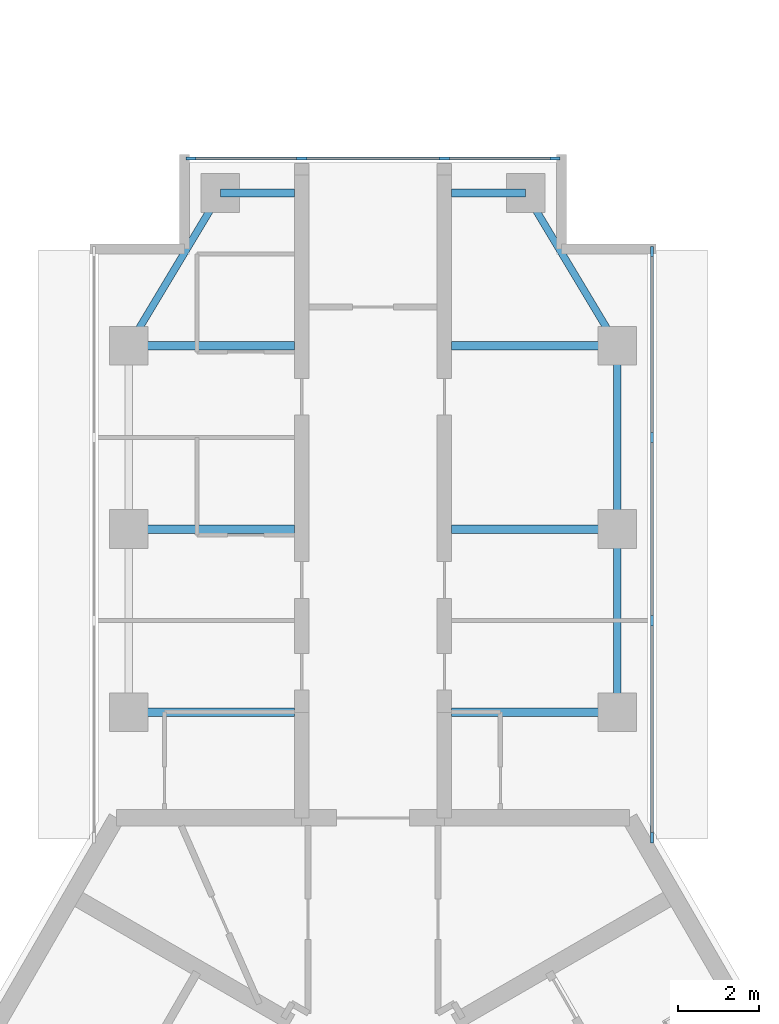
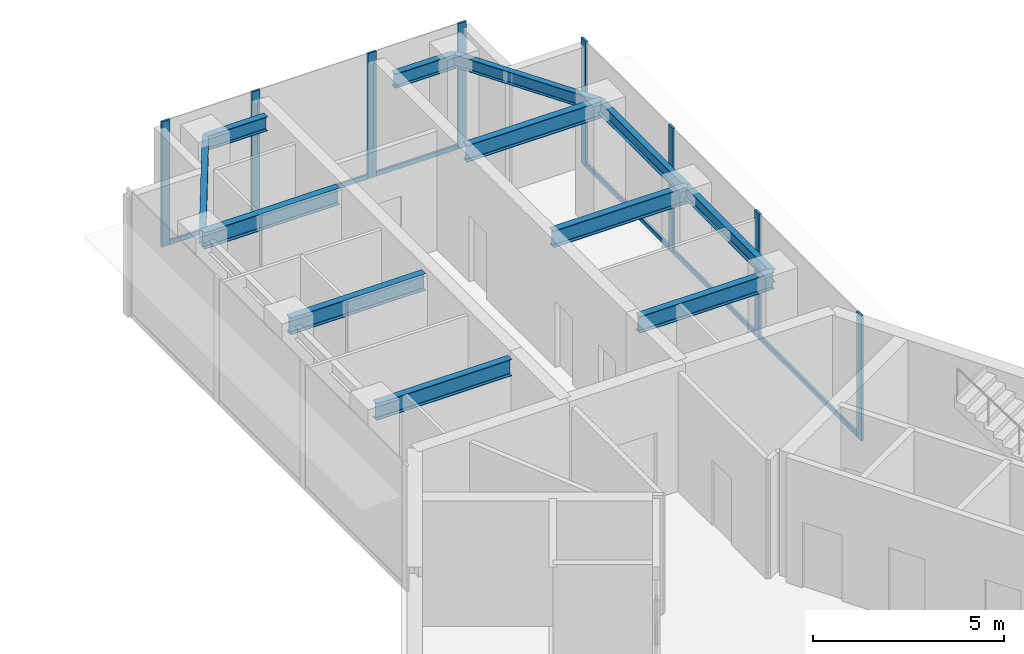
# One storey, part 3 of 11: 14 members, 12 beams, 2 elements without a shape of their own.
"""IFC4 building model written with IfcOpenShell, lengths in metres."""

import ifcopenshell
import ifcopenshell.guid

model = None  # the IFC model being written
_history = None  # IfcOwnerHistory: only IFC2X3 demands one
_inside = {}  # id of a spatial element -> (the spatial element, [elements in it])
_under = {}  # id of a project, library or spatial element -> (it, [spatial elements below it])
_declared = {}  # id of a project -> (the project, [libraries it declares])
_typed = {}  # id of a type object -> (the type object, [elements of that type])
_made_of = {}  # id of a material, layer set ... -> (it, [elements and type objects made of it])


def new_model(schema):
    """Start an empty IFC model of exactly this schema.

    Asked for "IFC4X3", IfcOpenShell would pick the latest addendum, in which some entities
    have other attributes; the version numbers below select the first issue.
    IFC2X3 requires an IfcOwnerHistory on every rooted entity: one is made here for all.
    """
    global model, _history
    if schema == "IFC4X3":
        model = ifcopenshell.file(schema_version=(4, 3, 0, 0))
    else:
        model = ifcopenshell.file(schema=schema)
    _inside.clear()
    _under.clear()
    _declared.clear()
    _typed.clear()
    _made_of.clear()
    _history = None
    if model.schema == "IFC2X3":
        org = make("IfcOrganization", Name="unknown")
        user = make(
            "IfcPersonAndOrganization",
            ThePerson=make("IfcPerson", FamilyName="unknown"),
            TheOrganization=org,
        )
        app = make(
            "IfcApplication",
            ApplicationDeveloper=org,
            Version="unknown",
            ApplicationFullName="unknown",
            ApplicationIdentifier="unknown",
        )
        _history = make(
            "IfcOwnerHistory",
            OwningUser=user,
            OwningApplication=app,
            ChangeAction="ADDED",
            CreationDate=0,
        )
    return model


def make(cls, **values):
    """One entity of the class cls with the attributes given. An attribute that is None is left unset."""
    return model.create_entity(
        cls, **{name: value for name, value in values.items() if value is not None}
    )


def rooted(cls, **values):
    """An entity with a GlobalId (a new one), such as an element, a storey or a relation."""
    return make(cls, GlobalId=ifcopenshell.guid.new(), OwnerHistory=_history, **values)


def si_unit(unit_type, name, prefix=None):
    """IfcSIUnit, for example si_unit("LENGTHUNIT", "METRE", prefix="MILLI")."""
    return make("IfcSIUnit", UnitType=unit_type, Prefix=prefix, Name=name)


def assignment(units):
    """IfcUnitAssignment: the units of a project."""
    return None if units is None else make("IfcUnitAssignment", Units=units)


def point(xyz):
    """IfcCartesianPoint."""
    return None if xyz is None else make("IfcCartesianPoint", Coordinates=xyz)


def direction(xyz):
    """IfcDirection."""
    return None if xyz is None else make("IfcDirection", DirectionRatios=xyz)


def frame(location, z_axis=None, x_axis=None):
    """IfcAxis2Placement3D, a coordinate frame: its origin and axes. An axis left out is left unset."""
    return make(
        "IfcAxis2Placement3D",
        Location=point(location),
        Axis=direction(z_axis),
        RefDirection=direction(x_axis),
    )


def frame_2d(location, x_axis=None):
    """IfcAxis2Placement2D, a coordinate frame in the plane: its origin and x axis."""
    return make(
        "IfcAxis2Placement2D", Location=point(location), RefDirection=direction(x_axis)
    )


def origin():
    """The frame at (0, 0, 0) with its axes left unset."""
    return frame((0.0, 0.0, 0.0))


def origin_2d():
    """The frame at (0, 0) in the plane with its x axis left unset."""
    return frame_2d((0.0, 0.0))


def place(relative_to, where):
    """IfcLocalPlacement: puts the frame where relative to a parent placement (None: the world)."""
    return make(
        "IfcLocalPlacement", PlacementRelTo=relative_to, RelativePlacement=where
    )


def context(
    kind, dimensions, precision=None, world=None, true_north=None, identifier=None
):
    """IfcGeometricRepresentationContext, for example the 3D "Model" context."""
    return make(
        "IfcGeometricRepresentationContext",
        ContextIdentifier=identifier,
        ContextType=kind,
        CoordinateSpaceDimension=dimensions,
        Precision=precision,
        WorldCoordinateSystem=world,
        TrueNorth=true_north,
    )


def subcontext(parent, identifier, kind, view, scale=None):
    """IfcGeometricRepresentationSubContext, for example "Body" below "Model"."""
    return make(
        "IfcGeometricRepresentationSubContext",
        ContextIdentifier=identifier,
        ContextType=kind,
        ParentContext=parent,
        TargetScale=scale,
        TargetView=view,
    )


def project(units=None, contexts=None):
    """IfcProject with its units and contexts."""
    return rooted(
        "IfcProject",
        Name="project",
        RepresentationContexts=contexts,
        UnitsInContext=assignment(units),
    )


def spatial(cls, under=None, at=None, **own):
    """A site, building, storey or space (cls), placed at a placement, below another one or the project."""
    s = rooted(cls, ObjectPlacement=at, **own)
    if under is not None:
        _under.setdefault(under.id(), (under, []))[1].append(s)
    return s


def profile(cls, at=None, kind="AREA", **sizes):
    """A parametric profile (cls). Its sizes go by their IFC names, for example OverallWidth=200.0."""
    return make(cls, ProfileType=kind, Position=at, **sizes)


def rectangle(**sizes):
    """IfcRectangleProfileDef."""
    return profile("IfcRectangleProfileDef", **sizes)


def i_section(**sizes):
    """IfcIShapeProfileDef."""
    return profile("IfcIShapeProfileDef", **sizes)


def extrude(swept, where, along, depth):
    """IfcExtrudedAreaSolid: the profile swept, set in the frame where, extruded along a direction by depth."""
    return make(
        "IfcExtrudedAreaSolid",
        SweptArea=swept,
        Position=where,
        ExtrudedDirection=direction(along),
        Depth=depth,
    )


def shape(context_of_items, identifier, shape_type, items):
    """IfcShapeRepresentation: the items that make up one representation, for example the "Body"."""
    return make(
        "IfcShapeRepresentation",
        ContextOfItems=context_of_items,
        RepresentationIdentifier=identifier,
        RepresentationType=shape_type,
        Items=items,
    )


def material(Name=None, Category=None):
    """IfcMaterial."""
    return make("IfcMaterial", Name=Name, Category=Category)


def material_profile(
    of_material, cross_section, Name=None, Category=None, Priority=None
):
    """IfcMaterialProfile: a cross section and its material."""
    return make(
        "IfcMaterialProfile",
        Name=Name,
        Material=of_material,
        Profile=cross_section,
        Priority=Priority,
        Category=Category,
    )


def profile_set(profiles, Name=None, composite=None):
    """IfcMaterialProfileSet."""
    return make(
        "IfcMaterialProfileSet",
        Name=Name,
        MaterialProfiles=profiles,
        CompositeProfile=composite,
    )


def made_of(thing, what):
    """Note that an element or type object is made of a material, layer set ...; save() writes the relation."""
    if what is not None:
        _made_of.setdefault(what.id(), (what, []))[1].append(thing)
    return thing


def type_object(cls, material=None, **own):
    """A type object (cls), such as IfcWallType, which elements share."""
    return made_of(rooted(cls, **own), material)


def element(
    cls,
    number,
    at=None,
    inside=None,
    cuts=None,
    type_object=None,
    material=None,
    context=None,
    identifier="Body",
    shape_type=None,
    held_by="IfcProductDefinitionShape",
    body=None,
    shapes=None,
    **own,
):
    """One element of the class cls, such as IfcWall. Its Tag is "e" and its number.

    at: its placement. inside: the storey or other place that contains it. cuts: it is an
    opening in that element (IfcRelVoidsElement). A single representation is given by context,
    identifier, shape_type and body (its items); several are given by shapes. held_by: the class
    of the entity that holds the representations. save() writes the other relations.
    """
    e = rooted(cls, Tag="e%d" % number, ObjectPlacement=at, **own)
    if body is not None:
        shapes = [shape(context, identifier, shape_type, body)]
    if shapes is not None:
        e.Representation = make(held_by, Representations=shapes)
    if inside is not None:
        _inside.setdefault(inside.id(), (inside, []))[1].append(e)
    if cuts is not None:
        rooted(
            "IfcRelVoidsElement", RelatingBuildingElement=cuts, RelatedOpeningElement=e
        )
    if type_object is not None:
        _typed.setdefault(type_object.id(), (type_object, []))[1].append(e)
    return made_of(e, material)


def aggregate(whole, parts):
    """IfcRelAggregates: a whole, such as a stair, and the parts it consists of."""
    return rooted("IfcRelAggregates", RelatingObject=whole, RelatedObjects=parts)


def save(model, path):
    """Write the relations noted so far, then the file.

    IfcRelAggregates (storeys below a building ...), IfcRelContainedInSpatialStructure (elements
    in a storey), IfcRelDefinesByType, IfcRelAssociatesMaterial and IfcRelDeclares: one each for
    every whole, place, type object, material and project.
    """
    for whole, parts in _under.values():
        aggregate(whole, parts)
    for where, things in _inside.values():
        rooted(
            "IfcRelContainedInSpatialStructure",
            RelatedElements=things,
            RelatingStructure=where,
        )
    for kind, things in _typed.values():
        rooted("IfcRelDefinesByType", RelatedObjects=things, RelatingType=kind)
    for what, things in _made_of.values():
        rooted("IfcRelAssociatesMaterial", RelatedObjects=things, RelatingMaterial=what)
    for by, libraries in _declared.values():
        rooted("IfcRelDeclares", RelatingContext=by, RelatedDefinitions=libraries)
    model.write(path)


model = new_model("IFC4")

# Units and contexts
model_context = context("Model", 3, precision=1e-05, world=origin(), true_north=direction((0.0, 1.0)))
body_context = subcontext(model_context, "Body", "Model", "MODEL_VIEW")
ifc_project = project(units=[si_unit("LENGTHUNIT", "METRE"), si_unit("AREAUNIT", "SQUARE_METRE"), si_unit("VOLUMEUNIT", "CUBIC_METRE"), si_unit("PLANEANGLEUNIT", "RADIAN"), si_unit("MASSUNIT", "GRAM", prefix="KILO")], contexts=[model_context])

# Site, building, storey
site_placement = place(None, origin())
site = spatial("IfcSite", under=ifc_project, at=site_placement, CompositionType="ELEMENT")
building_placement = place(site_placement, origin())
building = spatial("IfcBuilding", under=site, at=building_placement, Name="Upepo Twin Towers", CompositionType="ELEMENT")
storey_placement = place(building_placement, frame((0.0, 0.0, 271.5)))
storey = spatial("IfcBuildingStorey", under=building, at=storey_placement, Name="L66", CompositionType="ELEMENT", Elevation=271.5)

# Beams
ifc_material_1 = material(Name="Steel S355", Category="steel")
ifc_material_profile_1 = material_profile(ifc_material_1, i_section(OverallWidth=0.177978515625, OverallDepth=0.406494140625, WebThickness=0.0078125, FlangeThickness=0.0126953125, FilletRadius=0.01025390625, at=origin_2d()), Name="UB 406x178x60")
ifc_profile_set_1 = profile_set([ifc_material_profile_1], Name="Steel S355")
beam_type_1 = type_object("IfcBeamType", Name="Beam UB 406x178x60", PredefinedType="BEAM", material=ifc_profile_set_1)
beam_1_placement = place(storey_placement, frame((52.5, 4.5, 3.5966796875), z_axis=(0.514495755428, 0.857492925713, 0.0), x_axis=(-0.857492925713, 0.514495755428, 0.0)))
element("IfcBeam", 1, at=beam_1_placement, inside=storey, type_object=beam_type_1, Name="T2 nose edge beam AL", PredefinedType="BEAM", context=body_context, shape_type="SweptSolid", body=[
    extrude(i_section(OverallWidth=0.177978515625, OverallDepth=0.406494140625, WebThickness=0.0078125, FlangeThickness=0.0126953125, FilletRadius=0.01025390625, at=origin_2d()), origin(), (0.0, 0.0, 1.0), 4.373291015625),
])
for number, where, z_axis, x_axis, name in (
    (2, (64.5, -4.5, 3.5966796875), (0.0, 1.0, 0.0), (-1.0, 0.0, 0.0), "T2 edge beam AR 13.5-18.0"),
    (3, (64.5, 0.0, 3.5966796875), (0.0, 1.0, 0.0), (-1.0, 0.0, 0.0), "T2 edge beam AR 18.0-22.5"),
):
    element("IfcBeam", number, at=place(storey_placement, frame(where, z_axis=z_axis, x_axis=x_axis)), inside=storey, type_object=beam_type_1, Name=name, PredefinedType="BEAM", context=body_context, shape_type="SweptSolid", body=[
        extrude(i_section(OverallWidth=0.177978515625, OverallDepth=0.406494140625, WebThickness=0.0078125, FlangeThickness=0.0126953125, FilletRadius=0.01025390625, at=origin_2d()), origin(), (0.0, 0.0, 1.0), 4.5),
    ])
beam_2_placement = place(storey_placement, frame((64.5, 4.5, 3.5966796875), z_axis=(-0.514495755428, 0.857492925713, 0.0), x_axis=(-0.857492925713, -0.514495755428, 0.0)))
element("IfcBeam", 4, at=beam_2_placement, inside=storey, type_object=beam_type_1, Name="T2 nose edge beam AR", PredefinedType="BEAM", context=body_context, shape_type="SweptSolid", body=[
    extrude(i_section(OverallWidth=0.177978515625, OverallDepth=0.406494140625, WebThickness=0.0078125, FlangeThickness=0.0126953125, FilletRadius=0.01025390625, at=origin_2d()), origin(), (0.0, 0.0, 1.0), 4.373291015625),
])
ifc_material_2 = material(Name="Steel S355", Category="steel")
ifc_material_profile_2 = material_profile(ifc_material_2, i_section(OverallWidth=0.19140625, OverallDepth=0.4599609375, WebThickness=0.010009765625, FlangeThickness=0.01611328125, FilletRadius=0.01025390625, at=origin_2d()), Name="UB 457x191x82")
ifc_profile_set_2 = profile_set([ifc_material_profile_2], Name="Steel S355")
beam_type_2 = type_object("IfcBeamType", Name="Beam UB 457x191x82", PredefinedType="BEAM", material=ifc_profile_set_2)
for number, where, z_axis, x_axis, name in (
    (5, (54.75, 8.25, 3.570068359375), (1.0, 0.0, 0.0), (0.0, 1.0, 0.0), "T2 nose beam AL"),
    (6, (62.25, 8.25, 3.570068359375), (-1.0, 0.0, 0.0), (0.0, -1.0, 0.0), "T2 nose beam AR"),
):
    element("IfcBeam", number, at=place(storey_placement, frame(where, z_axis=z_axis, x_axis=x_axis)), inside=storey, type_object=beam_type_2, Name=name, PredefinedType="BEAM", context=body_context, shape_type="SweptSolid", body=[
        extrude(i_section(OverallWidth=0.19140625, OverallDepth=0.4599609375, WebThickness=0.010009765625, FlangeThickness=0.01611328125, FilletRadius=0.01025390625, at=origin_2d()), origin(), (0.0, 0.0, 1.0), 1.824951171875),
    ])
ifc_material_3 = material(Name="Steel S355", Category="steel")
ifc_material_profile_3 = material_profile(ifc_material_3, i_section(OverallWidth=0.209228515625, OverallDepth=0.533203125, WebThickness=0.010009765625, FlangeThickness=0.015625, FilletRadius=0.0126953125, at=origin_2d()), Name="UB 533x210x92")
ifc_profile_set_3 = profile_set([ifc_material_profile_3], Name="Steel S355")
beam_type_3 = type_object("IfcBeamType", Name="Beam UB 533x210x92", PredefinedType="BEAM", material=ifc_profile_set_3)
for number, where, z_axis, x_axis, name in (
    (7, (52.5, -4.5, 3.533447265625), (1.0, 0.0, 0.0), (0.0, 1.0, 0.0), "T2 girder AL at 13.5"),
    (8, (52.5, 0.0, 3.533447265625), (1.0, 0.0, 0.0), (0.0, 1.0, 0.0), "T2 girder AL at 18.0"),
    (9, (52.5, 4.5, 3.533447265625), (1.0, 0.0, 0.0), (0.0, 1.0, 0.0), "T2 girder AL at 22.5"),
    (10, (64.5, -4.5, 3.533447265625), (-1.0, 0.0, 0.0), (0.0, -1.0, 0.0), "T2 girder AR at 13.5"),
    (11, (64.5, 0.0, 3.533447265625), (-1.0, 0.0, 0.0), (0.0, -1.0, 0.0), "T2 girder AR at 18.0"),
    (12, (64.5, 4.5, 3.533447265625), (-1.0, 0.0, 0.0), (0.0, -1.0, 0.0), "T2 girder AR at 22.5"),
):
    element("IfcBeam", number, at=place(storey_placement, frame(where, z_axis=z_axis, x_axis=x_axis)), inside=storey, type_object=beam_type_3, Name=name, PredefinedType="BEAM", context=body_context, shape_type="SweptSolid", body=[
        extrude(i_section(OverallWidth=0.209228515625, OverallDepth=0.533203125, WebThickness=0.010009765625, FlangeThickness=0.015625, FilletRadius=0.0126953125, at=origin_2d()), origin(), (0.0, 0.0, 1.0), 4.074951171875),
    ])

# Curtain wall, members
ifc_material_4 = material(Name="Aluminium and fritted glass", Category="aluminium")
curtain_wall_type = type_object("IfcCurtainWallType", Name="Tower curtain wall TW4, fritted glass", PredefinedType="NOTDEFINED", material=ifc_material_4)
curtain_wall_1_placement = place(storey_placement, origin())
curtain_wall_1 = element("IfcCurtainWall", 13, at=curtain_wall_1_placement, inside=storey, type_object=curtain_wall_type, Name="T2 L66 wing A flank R curtain wall", PredefinedType="NOTDEFINED")
ifc_material_5 = material(Name="Aluminium mullion", Category="aluminium")
ifc_material_profile_4 = material_profile(ifc_material_5, rectangle(XDim=0.06494140625, YDim=0.25, at=origin_2d()), Name="MULLION 65x250")
ifc_profile_set_4 = profile_set([ifc_material_profile_4], Name="Aluminium mullion")
member_type_1 = type_object("IfcMemberType", Name="Mullion 65x250 TW4", PredefinedType="MULLION", material=ifc_profile_set_4)
member_1_placement = place(storey_placement, frame((65.35009765625, 6.8173828125, 0.0), z_axis=(0.0, 0.0, 1.0), x_axis=(1.0, 0.0, 0.0)))
member_1 = element("IfcMember", 14, at=member_1_placement, type_object=member_type_1, Name="T2 L66 wing A flank R curtain wall mullion 1", PredefinedType="MULLION", context=body_context, shape_type="SweptSolid", body=[
    extrude(rectangle(XDim=0.06494140625, YDim=0.25, at=origin_2d()), origin(), (0.0, 0.0, 1.0), 4.0),
])
member_2_placement = place(storey_placement, frame((65.35009765625, 2.25, 0.0), z_axis=(0.0, 0.0, 1.0), x_axis=(1.0, 0.0, 0.0)))
member_2 = element("IfcMember", 15, at=member_2_placement, type_object=member_type_1, Name="T2 L66 wing A flank R curtain wall mullion 2", PredefinedType="MULLION", context=body_context, shape_type="SweptSolid", body=[
    extrude(rectangle(XDim=0.06494140625, YDim=0.25, at=origin_2d()), origin(), (0.0, 0.0, 1.0), 4.0),
])
member_3_placement = place(storey_placement, frame((65.35009765625, -2.25, 0.0), z_axis=(0.0, 0.0, 1.0), x_axis=(1.0, 0.0, 0.0)))
member_3 = element("IfcMember", 16, at=member_3_placement, type_object=member_type_1, Name="T2 L66 wing A flank R curtain wall mullion 3", PredefinedType="MULLION", context=body_context, shape_type="SweptSolid", body=[
    extrude(rectangle(XDim=0.06494140625, YDim=0.25, at=origin_2d()), origin(), (0.0, 0.0, 1.0), 4.0),
])
member_4_placement = place(storey_placement, frame((65.35009765625, -7.580322265625, 0.0), z_axis=(0.0, 0.0, 1.0), x_axis=(1.0, 0.0, 0.0)))
member_4 = element("IfcMember", 17, at=member_4_placement, type_object=member_type_1, Name="T2 L66 wing A flank R curtain wall mullion 4", PredefinedType="MULLION", context=body_context, shape_type="SweptSolid", body=[
    extrude(rectangle(XDim=0.06494140625, YDim=0.25, at=origin_2d()), origin(), (0.0, 0.0, 1.0), 4.0),
])

curtain_wall_2_placement = place(storey_placement, origin())
curtain_wall_2 = element("IfcCurtainWall", 18, at=curtain_wall_2_placement, inside=storey, type_object=curtain_wall_type, Name="T2 L66 wing A nose curtain wall", PredefinedType="NOTDEFINED")
member_5_placement = place(storey_placement, frame((62.967529296875, 9.10009765625, 0.0), z_axis=(0.0, 0.0, 1.0), x_axis=(0.0, -1.0, 0.0)))
member_5 = element("IfcMember", 19, at=member_5_placement, type_object=member_type_1, Name="T2 L66 wing A nose curtain wall mullion 1", PredefinedType="MULLION", context=body_context, shape_type="SweptSolid", body=[
    extrude(rectangle(XDim=0.06494140625, YDim=0.25, at=origin_2d()), origin(), (0.0, 0.0, 1.0), 4.0),
])
member_6_placement = place(storey_placement, frame((60.25, 9.10009765625, 0.0), z_axis=(0.0, 0.0, 1.0), x_axis=(0.0, -1.0, 0.0)))
member_6 = element("IfcMember", 20, at=member_6_placement, type_object=member_type_1, Name="T2 L66 wing A nose curtain wall mullion 2", PredefinedType="MULLION", context=body_context, shape_type="SweptSolid", body=[
    extrude(rectangle(XDim=0.06494140625, YDim=0.25, at=origin_2d()), origin(), (0.0, 0.0, 1.0), 4.0),
])
member_7_placement = place(storey_placement, frame((56.75, 9.10009765625, 0.0), z_axis=(0.0, 0.0, 1.0), x_axis=(0.0, -1.0, 0.0)))
member_7 = element("IfcMember", 21, at=member_7_placement, type_object=member_type_1, Name="T2 L66 wing A nose curtain wall mullion 3", PredefinedType="MULLION", context=body_context, shape_type="SweptSolid", body=[
    extrude(rectangle(XDim=0.06494140625, YDim=0.25, at=origin_2d()), origin(), (0.0, 0.0, 1.0), 4.0),
])
member_8_placement = place(storey_placement, frame((54.032470703125, 9.10009765625, 0.0), z_axis=(0.0, 0.0, 1.0), x_axis=(0.0, -1.0, 0.0)))
member_8 = element("IfcMember", 22, at=member_8_placement, type_object=member_type_1, Name="T2 L66 wing A nose curtain wall mullion 4", PredefinedType="MULLION", context=body_context, shape_type="SweptSolid", body=[
    extrude(rectangle(XDim=0.06494140625, YDim=0.25, at=origin_2d()), origin(), (0.0, 0.0, 1.0), 4.0),
])

# Member
ifc_material_6 = material(Name="Aluminium transom", Category="aluminium")
ifc_material_profile_5 = material_profile(ifc_material_6, rectangle(XDim=0.06494140625, YDim=0.14990234375, at=origin_2d()), Name="TRANSOM 65x150")
ifc_profile_set_5 = profile_set([ifc_material_profile_5], Name="Aluminium transom")
member_type_2 = type_object("IfcMemberType", Name="Transom 65x150 TW4", PredefinedType="USERDEFINED", material=ifc_profile_set_5)
member_9_placement = place(storey_placement, frame((65.35009765625, 6.784912109375, 0.074951171875), z_axis=(0.0, -1.0, 0.0), x_axis=(1.0, 0.0, 0.0)))
member_9 = element("IfcMember", 23, at=member_9_placement, type_object=member_type_2, Name="T2 L66 wing A flank R curtain wall transom 1", ObjectType="TRANSOM", PredefinedType="USERDEFINED", context=body_context, shape_type="SweptSolid", body=[
    extrude(rectangle(XDim=0.06494140625, YDim=0.14990234375, at=origin_2d()), origin(), (0.0, 0.0, 1.0), 4.50244140625),
])

member_10_placement = place(storey_placement, frame((65.35009765625, 2.217529296875, 0.074951171875), z_axis=(0.0, -1.0, 0.0), x_axis=(1.0, 0.0, 0.0)))
member_10 = element("IfcMember", 24, at=member_10_placement, type_object=member_type_2, Name="T2 L66 wing A flank R curtain wall transom 2", ObjectType="TRANSOM", PredefinedType="USERDEFINED", context=body_context, shape_type="SweptSolid", body=[
    extrude(rectangle(XDim=0.06494140625, YDim=0.14990234375, at=origin_2d()), origin(), (0.0, 0.0, 1.0), 4.43505859375),
])

member_11_placement = place(storey_placement, frame((65.35009765625, -2.282470703125, 0.074951171875), z_axis=(0.0, -1.0, 0.0), x_axis=(1.0, 0.0, 0.0)))
member_11 = element("IfcMember", 25, at=member_11_placement, type_object=member_type_2, Name="T2 L66 wing A flank R curtain wall transom 3", ObjectType="TRANSOM", PredefinedType="USERDEFINED", context=body_context, shape_type="SweptSolid", body=[
    extrude(rectangle(XDim=0.06494140625, YDim=0.14990234375, at=origin_2d()), origin(), (0.0, 0.0, 1.0), 5.265380859375),
])

aggregate(curtain_wall_1, [member_1, member_2, member_3, member_4, member_9, member_10, member_11])

member_12_placement = place(storey_placement, frame((62.93505859375, 9.10009765625, 0.074951171875), z_axis=(-1.0, 0.0, 0.0), x_axis=(0.0, -1.0, 0.0)))
member_12 = element("IfcMember", 26, at=member_12_placement, type_object=member_type_2, Name="T2 L66 wing A nose curtain wall transom 1", ObjectType="TRANSOM", PredefinedType="USERDEFINED", context=body_context, shape_type="SweptSolid", body=[
    extrude(rectangle(XDim=0.06494140625, YDim=0.14990234375, at=origin_2d()), origin(), (0.0, 0.0, 1.0), 2.652587890625),
])

member_13_placement = place(storey_placement, frame((60.217529296875, 9.10009765625, 0.074951171875), z_axis=(-1.0, 0.0, 0.0), x_axis=(0.0, -1.0, 0.0)))
member_13 = element("IfcMember", 27, at=member_13_placement, type_object=member_type_2, Name="T2 L66 wing A nose curtain wall transom 2", ObjectType="TRANSOM", PredefinedType="USERDEFINED", context=body_context, shape_type="SweptSolid", body=[
    extrude(rectangle(XDim=0.06494140625, YDim=0.14990234375, at=origin_2d()), origin(), (0.0, 0.0, 1.0), 3.43505859375),
])

member_14_placement = place(storey_placement, frame((56.717529296875, 9.10009765625, 0.074951171875), z_axis=(-1.0, 0.0, 0.0), x_axis=(0.0, -1.0, 0.0)))
member_14 = element("IfcMember", 28, at=member_14_placement, type_object=member_type_2, Name="T2 L66 wing A nose curtain wall transom 3", ObjectType="TRANSOM", PredefinedType="USERDEFINED", context=body_context, shape_type="SweptSolid", body=[
    extrude(rectangle(XDim=0.06494140625, YDim=0.14990234375, at=origin_2d()), origin(), (0.0, 0.0, 1.0), 2.652587890625),
])

aggregate(curtain_wall_2, [member_5, member_6, member_7, member_8, member_12, member_13, member_14])

save(model, "model.ifc")
